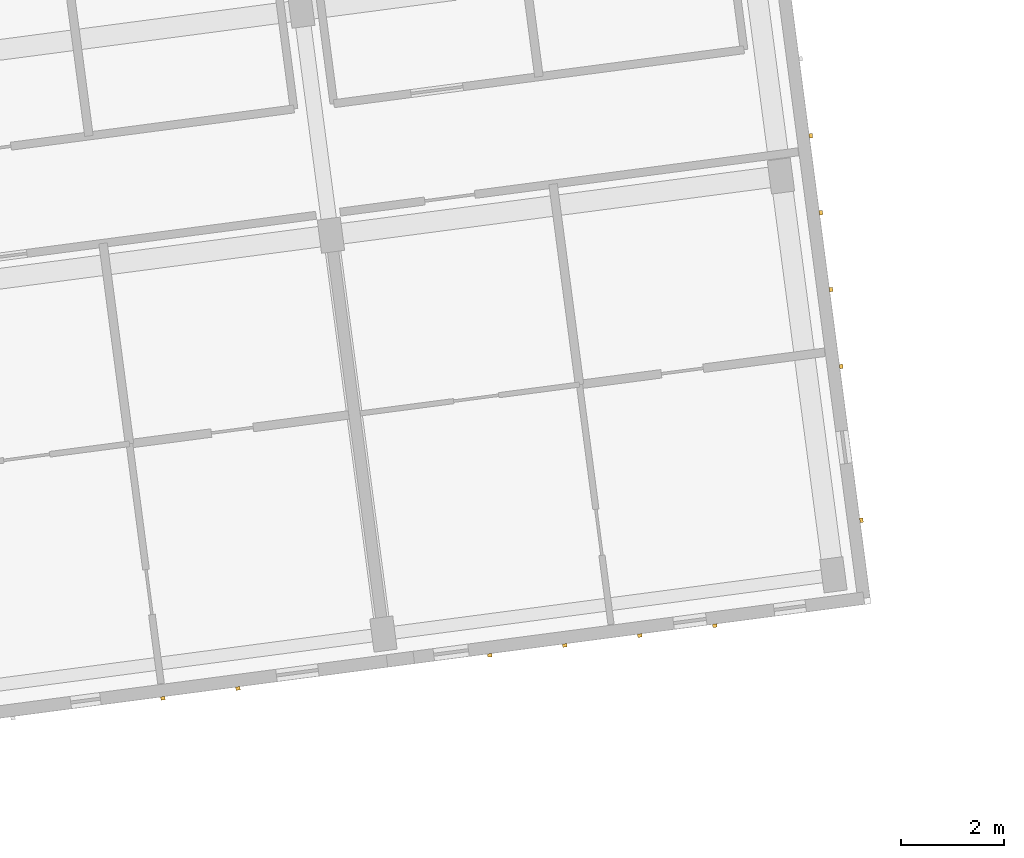
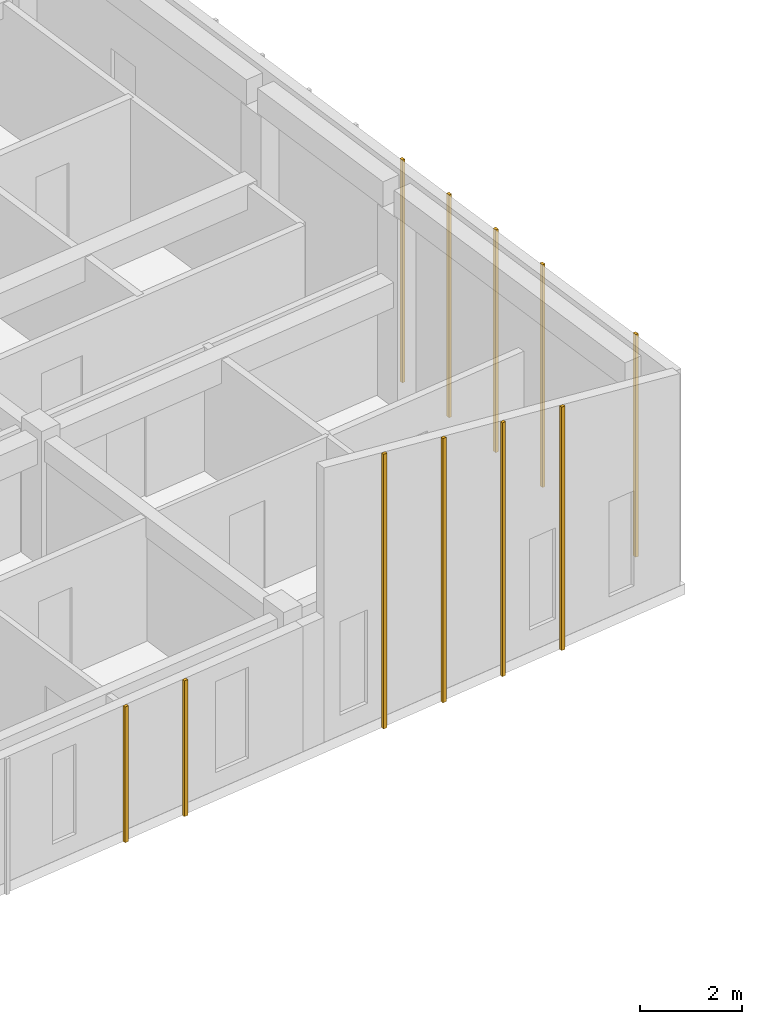
# One storey, part 25 of 31: 11 coverings.
"""IFC4 building model written with IfcOpenShell, lengths in metres."""

from ifc_helpers import new_model, si_unit, direction, frame, origin, origin_2d, place, context, subcontext, project, spatial, rectangle, extrude, material, layer, layer_set, type_object, element, save


model = new_model("IFC4")

# Units and contexts
model_context = context("Model", 3, precision=1e-05, world=origin(), true_north=direction((0.0, 1.0)))
body_context = subcontext(model_context, "Body", "Model", "MODEL_VIEW")
ifc_project = project(units=[si_unit("LENGTHUNIT", "METRE"), si_unit("AREAUNIT", "SQUARE_METRE"), si_unit("VOLUMEUNIT", "CUBIC_METRE"), si_unit("PLANEANGLEUNIT", "RADIAN"), si_unit("MASSUNIT", "GRAM", prefix="KILO")], contexts=[model_context])

# Site, building, storey
site_placement = place(None, origin())
site = spatial("IfcSite", under=ifc_project, at=site_placement, CompositionType="ELEMENT")
building_placement = place(site_placement, origin())
building = spatial("IfcBuilding", under=site, at=building_placement, Name="Kestramere Prow Commons", CompositionType="ELEMENT")
storey_placement = place(building_placement, frame((0.0, 0.0, 37.64990234375)))
storey = spatial("IfcBuildingStorey", under=building, at=storey_placement, Name="L11", CompositionType="ELEMENT", Elevation=37.64990234375)

# Coverings
ifc_material = material(Name="Weathered Zinc-Titanium Standing-Seam Cladding")
ifc_layer = layer(ifc_material, 0.074951171875)
ifc_layer_set = layer_set([ifc_layer], Name="Weathered Zinc-Titanium Standing-Seam Cladding")
covering_type = type_object("IfcCoveringType", Name="COV-CLAD-SEAM", PredefinedType="CLADDING", material=ifc_layer_set)
for number, where, z_axis, x_axis, name in (
    (1, (52.003662109375, 76.6884765625, -0.25), (0.0, 0.0, 1.0), (-0.991444861374, -0.13052619222, 0.0), "EW-A-L11-S-4 Standing-Seam Rib 2"),
    (2, (50.549560546875, 76.4970703125, -0.25), (0.0, 0.0, 1.0), (-0.991444861374, -0.13052619222, 0.0), "EW-A-L11-S-4 Standing-Seam Rib 3"),
):
    element("IfcCovering", number, at=place(storey_placement, frame(where, z_axis=z_axis, x_axis=x_axis)), inside=storey, type_object=covering_type, Name=name, PredefinedType="CLADDING", context=body_context, shape_type="SweptSolid", body=[
        extrude(rectangle(XDim=0.0849609375, YDim=0.06494140625, at=origin_2d()), origin(), (0.0, 0.0, 1.0), 3.25),
    ])
covering_1_placement = place(storey_placement, frame((61.2490234375, 77.90576171875, -0.25), z_axis=(0.0, 0.0, 1.0), x_axis=(-0.991444861374, -0.13052619222, 0.0)))
element("IfcCovering", 3, at=covering_1_placement, inside=storey, type_object=covering_type, Name="EW-A-L11-S-5 Standing-Seam Rib 2", PredefinedType="CLADDING", context=body_context, shape_type="SweptSolid", body=[
    extrude(rectangle(XDim=0.0849609375, YDim=0.06494140625, at=origin_2d()), origin(), (0.0, 0.0, 1.0), 5.82958984375),
])
covering_2_placement = place(storey_placement, frame((59.794921875, 77.71435546875, -0.249755859375), z_axis=(0.0, 0.0, 1.0), x_axis=(-0.991444861374, -0.13052619222, 0.0)))
element("IfcCovering", 4, at=covering_2_placement, inside=storey, type_object=covering_type, Name="EW-A-L11-S-5 Standing-Seam Rib 3", PredefinedType="CLADDING", context=body_context, shape_type="SweptSolid", body=[
    extrude(rectangle(XDim=0.0849609375, YDim=0.06494140625, at=origin_2d()), origin(), (0.0, 0.0, 1.0), 6.07763671875),
])
covering_3_placement = place(storey_placement, frame((58.3408203125, 77.52294921875, -0.25), z_axis=(0.0, 0.0, 1.0), x_axis=(-0.991444861374, -0.13052619222, 0.0)))
element("IfcCovering", 5, at=covering_3_placement, inside=storey, type_object=covering_type, Name="EW-A-L11-S-5 Standing-Seam Rib 4", PredefinedType="CLADDING", context=body_context, shape_type="SweptSolid", body=[
    extrude(rectangle(XDim=0.0849609375, YDim=0.06494140625, at=origin_2d()), origin(), (0.0, 0.0, 1.0), 6.325927734375),
])
covering_4_placement = place(storey_placement, frame((56.88671875, 77.331298828125, -0.25), z_axis=(0.0, 0.0, 1.0), x_axis=(-0.991444861374, -0.13052619222, 0.0)))
element("IfcCovering", 6, at=covering_4_placement, inside=storey, type_object=covering_type, Name="EW-A-L11-S-5 Standing-Seam Rib 5", PredefinedType="CLADDING", context=body_context, shape_type="SweptSolid", body=[
    extrude(rectangle(XDim=0.0849609375, YDim=0.06494140625, at=origin_2d()), origin(), (0.0, 0.0, 1.0), 6.57421875),
])
for number, where, z_axis, x_axis, name in (
    (7, (63.111083984375, 87.404052734375, -0.25), (0.0, 0.0, 1.0), (0.13052619222, -0.991444861374, 0.0), "EW-A-L11-EAV Standing-Seam Rib 8"),
    (8, (63.30712890625, 85.913330078125, -0.25), (0.0, 0.0, 1.0), (0.13052619222, -0.991444861374, 0.0), "EW-A-L11-EAV Standing-Seam Rib 9"),
    (9, (63.50341796875, 84.422607421875, -0.25), (0.0, 0.0, 1.0), (0.13052619222, -0.991444861374, 0.0), "EW-A-L11-EAV Standing-Seam Rib 10"),
    (10, (63.69970703125, 82.931884765625, -0.25), (0.0, 0.0, 1.0), (0.13052619222, -0.991444861374, 0.0), "EW-A-L11-EAV Standing-Seam Rib 11"),
    (11, (64.09228515625, 79.950439453125, -0.25), (0.0, 0.0, 1.0), (0.13052619222, -0.991444861374, 0.0), "EW-A-L11-EAV Standing-Seam Rib 13"),
):
    element("IfcCovering", number, at=place(storey_placement, frame(where, z_axis=z_axis, x_axis=x_axis)), inside=storey, type_object=covering_type, Name=name, PredefinedType="CLADDING", context=body_context, shape_type="SweptSolid", body=[
        extrude(rectangle(XDim=0.0849609375, YDim=0.06494140625, at=origin_2d()), origin(), (0.0, 0.0, 1.0), 5.3330078125),
    ])

save(model, "model.ifc")
